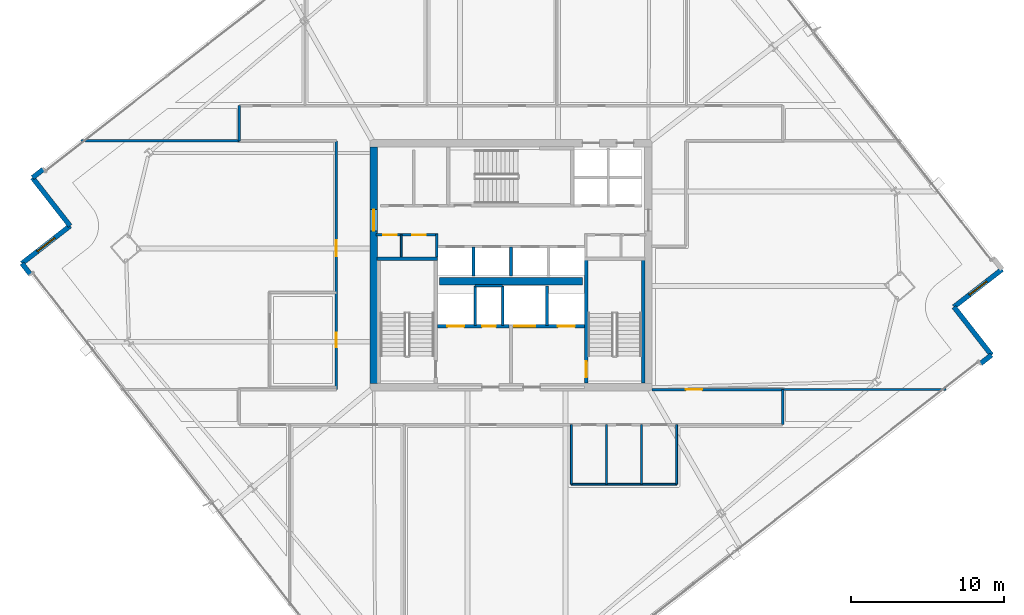
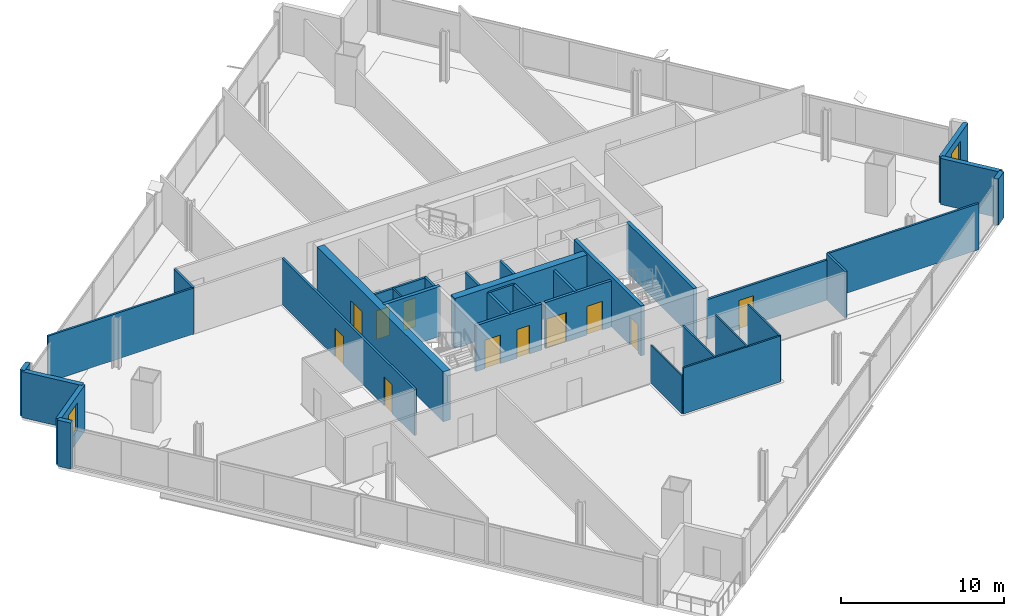
# One storey, part 25 of 32: 34 walls, 11 doors, 2 windows, 13 openings.
"""IFC4 building model written with IfcOpenShell, lengths in metres."""

import ifcopenshell
import ifcopenshell.guid

model = None  # the IFC model being written
_history = None  # IfcOwnerHistory: only IFC2X3 demands one
_inside = {}  # id of a spatial element -> (the spatial element, [elements in it])
_under = {}  # id of a project, library or spatial element -> (it, [spatial elements below it])
_declared = {}  # id of a project -> (the project, [libraries it declares])
_typed = {}  # id of a type object -> (the type object, [elements of that type])
_made_of = {}  # id of a material, layer set ... -> (it, [elements and type objects made of it])


def new_model(schema):
    """Start an empty IFC model of exactly this schema.

    Asked for "IFC4X3", IfcOpenShell would pick the latest addendum, in which some entities
    have other attributes; the version numbers below select the first issue.
    IFC2X3 requires an IfcOwnerHistory on every rooted entity: one is made here for all.
    """
    global model, _history
    if schema == "IFC4X3":
        model = ifcopenshell.file(schema_version=(4, 3, 0, 0))
    else:
        model = ifcopenshell.file(schema=schema)
    _inside.clear()
    _under.clear()
    _declared.clear()
    _typed.clear()
    _made_of.clear()
    _history = None
    if model.schema == "IFC2X3":
        org = make("IfcOrganization", Name="unknown")
        user = make(
            "IfcPersonAndOrganization",
            ThePerson=make("IfcPerson", FamilyName="unknown"),
            TheOrganization=org,
        )
        app = make(
            "IfcApplication",
            ApplicationDeveloper=org,
            Version="unknown",
            ApplicationFullName="unknown",
            ApplicationIdentifier="unknown",
        )
        _history = make(
            "IfcOwnerHistory",
            OwningUser=user,
            OwningApplication=app,
            ChangeAction="ADDED",
            CreationDate=0,
        )
    return model


def make(cls, **values):
    """One entity of the class cls with the attributes given. An attribute that is None is left unset."""
    return model.create_entity(
        cls, **{name: value for name, value in values.items() if value is not None}
    )


def rooted(cls, **values):
    """An entity with a GlobalId (a new one), such as an element, a storey or a relation."""
    return make(cls, GlobalId=ifcopenshell.guid.new(), OwnerHistory=_history, **values)


def si_unit(unit_type, name, prefix=None):
    """IfcSIUnit, for example si_unit("LENGTHUNIT", "METRE", prefix="MILLI")."""
    return make("IfcSIUnit", UnitType=unit_type, Prefix=prefix, Name=name)


def assignment(units):
    """IfcUnitAssignment: the units of a project."""
    return None if units is None else make("IfcUnitAssignment", Units=units)


def point(xyz):
    """IfcCartesianPoint."""
    return None if xyz is None else make("IfcCartesianPoint", Coordinates=xyz)


def direction(xyz):
    """IfcDirection."""
    return None if xyz is None else make("IfcDirection", DirectionRatios=xyz)


def frame(location, z_axis=None, x_axis=None):
    """IfcAxis2Placement3D, a coordinate frame: its origin and axes. An axis left out is left unset."""
    return make(
        "IfcAxis2Placement3D",
        Location=point(location),
        Axis=direction(z_axis),
        RefDirection=direction(x_axis),
    )


def frame_2d(location, x_axis=None):
    """IfcAxis2Placement2D, a coordinate frame in the plane: its origin and x axis."""
    return make(
        "IfcAxis2Placement2D", Location=point(location), RefDirection=direction(x_axis)
    )


def origin():
    """The frame at (0, 0, 0) with its axes left unset."""
    return frame((0.0, 0.0, 0.0))


def place(relative_to, where):
    """IfcLocalPlacement: puts the frame where relative to a parent placement (None: the world)."""
    return make(
        "IfcLocalPlacement", PlacementRelTo=relative_to, RelativePlacement=where
    )


def context(
    kind, dimensions, precision=None, world=None, true_north=None, identifier=None
):
    """IfcGeometricRepresentationContext, for example the 3D "Model" context."""
    return make(
        "IfcGeometricRepresentationContext",
        ContextIdentifier=identifier,
        ContextType=kind,
        CoordinateSpaceDimension=dimensions,
        Precision=precision,
        WorldCoordinateSystem=world,
        TrueNorth=true_north,
    )


def subcontext(parent, identifier, kind, view, scale=None):
    """IfcGeometricRepresentationSubContext, for example "Body" below "Model"."""
    return make(
        "IfcGeometricRepresentationSubContext",
        ContextIdentifier=identifier,
        ContextType=kind,
        ParentContext=parent,
        TargetScale=scale,
        TargetView=view,
    )


def project(units=None, contexts=None):
    """IfcProject with its units and contexts."""
    return rooted(
        "IfcProject",
        Name="project",
        RepresentationContexts=contexts,
        UnitsInContext=assignment(units),
    )


def spatial(cls, under=None, at=None, **own):
    """A site, building, storey or space (cls), placed at a placement, below another one or the project."""
    s = rooted(cls, ObjectPlacement=at, **own)
    if under is not None:
        _under.setdefault(under.id(), (under, []))[1].append(s)
    return s


def profile(cls, at=None, kind="AREA", **sizes):
    """A parametric profile (cls). Its sizes go by their IFC names, for example OverallWidth=200.0."""
    return make(cls, ProfileType=kind, Position=at, **sizes)


def rectangle(**sizes):
    """IfcRectangleProfileDef."""
    return profile("IfcRectangleProfileDef", **sizes)


def extrude(swept, where, along, depth):
    """IfcExtrudedAreaSolid: the profile swept, set in the frame where, extruded along a direction by depth."""
    return make(
        "IfcExtrudedAreaSolid",
        SweptArea=swept,
        Position=where,
        ExtrudedDirection=direction(along),
        Depth=depth,
    )


def shape(context_of_items, identifier, shape_type, items):
    """IfcShapeRepresentation: the items that make up one representation, for example the "Body"."""
    return make(
        "IfcShapeRepresentation",
        ContextOfItems=context_of_items,
        RepresentationIdentifier=identifier,
        RepresentationType=shape_type,
        Items=items,
    )


def material(Name=None, Category=None):
    """IfcMaterial."""
    return make("IfcMaterial", Name=Name, Category=Category)


def layer(
    of_material, thickness, ventilated=None, Name=None, Category=None, Priority=None
):
    """IfcMaterialLayer: one layer of a wall or slab, of a material (None: an air gap)."""
    return make(
        "IfcMaterialLayer",
        Material=of_material,
        LayerThickness=thickness,
        IsVentilated=ventilated,
        Name=Name,
        Category=Category,
        Priority=Priority,
    )


def layer_set(layers, Name=None):
    """IfcMaterialLayerSet."""
    return make("IfcMaterialLayerSet", MaterialLayers=layers, LayerSetName=Name)


def made_of(thing, what):
    """Note that an element or type object is made of a material, layer set ...; save() writes the relation."""
    if what is not None:
        _made_of.setdefault(what.id(), (what, []))[1].append(thing)
    return thing


def type_object(cls, material=None, **own):
    """A type object (cls), such as IfcWallType, which elements share."""
    return made_of(rooted(cls, **own), material)


def element(
    cls,
    number,
    at=None,
    inside=None,
    cuts=None,
    type_object=None,
    material=None,
    context=None,
    identifier="Body",
    shape_type=None,
    held_by="IfcProductDefinitionShape",
    body=None,
    shapes=None,
    **own,
):
    """One element of the class cls, such as IfcWall. Its Tag is "e" and its number.

    at: its placement. inside: the storey or other place that contains it. cuts: it is an
    opening in that element (IfcRelVoidsElement). A single representation is given by context,
    identifier, shape_type and body (its items); several are given by shapes. held_by: the class
    of the entity that holds the representations. save() writes the other relations.
    """
    e = rooted(cls, Tag="e%d" % number, ObjectPlacement=at, **own)
    if body is not None:
        shapes = [shape(context, identifier, shape_type, body)]
    if shapes is not None:
        e.Representation = make(held_by, Representations=shapes)
    if inside is not None:
        _inside.setdefault(inside.id(), (inside, []))[1].append(e)
    if cuts is not None:
        rooted(
            "IfcRelVoidsElement", RelatingBuildingElement=cuts, RelatedOpeningElement=e
        )
    if type_object is not None:
        _typed.setdefault(type_object.id(), (type_object, []))[1].append(e)
    return made_of(e, material)


def fill(opening, filler):
    """IfcRelFillsElement: the door or window that sits in an opening."""
    return rooted(
        "IfcRelFillsElement",
        RelatingOpeningElement=opening,
        RelatedBuildingElement=filler,
    )


def aggregate(whole, parts):
    """IfcRelAggregates: a whole, such as a stair, and the parts it consists of."""
    return rooted("IfcRelAggregates", RelatingObject=whole, RelatedObjects=parts)


def save(model, path):
    """Write the relations noted so far, then the file.

    IfcRelAggregates (storeys below a building ...), IfcRelContainedInSpatialStructure (elements
    in a storey), IfcRelDefinesByType, IfcRelAssociatesMaterial and IfcRelDeclares: one each for
    every whole, place, type object, material and project.
    """
    for whole, parts in _under.values():
        aggregate(whole, parts)
    for where, things in _inside.values():
        rooted(
            "IfcRelContainedInSpatialStructure",
            RelatedElements=things,
            RelatingStructure=where,
        )
    for kind, things in _typed.values():
        rooted("IfcRelDefinesByType", RelatedObjects=things, RelatingType=kind)
    for what, things in _made_of.values():
        rooted("IfcRelAssociatesMaterial", RelatedObjects=things, RelatingMaterial=what)
    for by, libraries in _declared.values():
        rooted("IfcRelDeclares", RelatingContext=by, RelatedDefinitions=libraries)
    model.write(path)


model = new_model("IFC4")

# Units and contexts
model_context = context("Model", 3, precision=1e-05, world=origin(), true_north=direction((0.0, 1.0)))
body_context = subcontext(model_context, "Body", "Model", "MODEL_VIEW")
ifc_project = project(units=[si_unit("LENGTHUNIT", "METRE"), si_unit("AREAUNIT", "SQUARE_METRE"), si_unit("VOLUMEUNIT", "CUBIC_METRE"), si_unit("PLANEANGLEUNIT", "RADIAN"), si_unit("MASSUNIT", "GRAM", prefix="KILO")], contexts=[model_context])

# Site, building, storey
site_placement = place(None, origin())
site = spatial("IfcSite", under=ifc_project, at=site_placement, CompositionType="ELEMENT")
building_placement = place(site_placement, origin())
building = spatial("IfcBuilding", under=site, at=building_placement, Name="Haldenkirk Collegiate Tower", CompositionType="ELEMENT")
storey_placement = place(building_placement, frame((0.0, 0.0, 155.699951171875)))
storey = spatial("IfcBuildingStorey", under=building, at=storey_placement, Name="L38", CompositionType="ELEMENT", Elevation=155.699951171875)

# Wall, opening, door
ifc_material_1 = material(Name="Concrete f'c 55 MPa", Category="concrete")
ifc_layer_1 = layer(ifc_material_1, 0.5)
ifc_layer_set_1 = layer_set([ifc_layer_1], Name="Concrete f'c 55 MPa")
wall_type_1 = type_object("IfcWallType", Name="WL-CORE-500", PredefinedType="SHEAR", material=ifc_layer_set_1)
wall_1_placement = place(storey_placement, frame((27.0, 18.25, 0.0), z_axis=(0.0, 0.0, 1.0), x_axis=(0.0, 1.0, 0.0)))
wall_1 = element("IfcWall", 1, at=wall_1_placement, inside=storey, type_object=wall_type_1, Name="L38 central core shear wall W", PredefinedType="SHEAR", context=body_context, shape_type="SweptSolid", body=[
    extrude(rectangle(XDim=15.5, YDim=0.5, at=frame_2d((7.75, 0.0))), origin(), (0.0, 0.0, 1.0), 3.75),
])
opening_1_placement = place(wall_1_placement, frame((9.989990234375, 0.0, 0.0)))
opening_1 = element("IfcOpeningElement", 2, at=opening_1_placement, cuts=wall_1, Name="Opening D-03", PredefinedType="OPENING", context=body_context, shape_type="SweptSolid", body=[
    extrude(rectangle(XDim=1.39990234375, YDim=2.199951171875, at=frame_2d((0.699951171875, 1.10009765625))), frame((0.0, 0.260009765625, 0.0), z_axis=(0.0, -1.0, 0.0), x_axis=(1.0, 0.0, 0.0)), (0.0, 0.0, 1.0), 0.52001953125),
])
ifc_material_2 = material(Name="Galvanized fire-rated hollow steel door", Category="steel")
ifc_layer_2 = layer(ifc_material_2, 0.06005859375)
ifc_layer_set_2 = layer_set([ifc_layer_2], Name="Galvanized fire-rated hollow steel door")
door_type_1 = type_object("IfcDoorType", Name="DR-LOBBY-FD90-1400", OperationType="NOTDEFINED", PredefinedType="DOOR", material=ifc_layer_set_2)
door_1_placement = place(opening_1_placement, origin())
door_1 = element("IfcDoor", 3, at=door_1_placement, inside=storey, type_object=door_type_1, Name="L38 west lift lobby portal", OperationType="DOUBLE_DOOR_SINGLE_SWING", OverallHeight=2.199951171875, OverallWidth=1.39990234375, PredefinedType="DOOR", context=body_context, shape_type="SweptSolid", body=[
    extrude(rectangle(XDim=1.39990234375, YDim=2.199951171875, at=frame_2d((0.699951171875, 1.10009765625))), frame((0.0, 0.02490234375, 0.0), z_axis=(0.0, -1.0, 0.0), x_axis=(1.0, 0.0, 0.0)), (0.0, 0.0, 1.0), 0.050048828125),
])
fill(opening_1, door_1)

# Walls
wall_2_placement = place(storey_placement, frame((31.31005859375, 24.949951171875, 0.0), z_axis=(0.0, 0.0, 1.0), x_axis=(1.0, 0.0, 0.0)))
element("IfcWall", 4, at=wall_2_placement, inside=storey, type_object=wall_type_1, Name="L38 central core spine shear wall", PredefinedType="SHEAR", context=body_context, shape_type="SweptSolid", body=[
    extrude(rectangle(XDim=9.3798828125, YDim=0.5, at=frame_2d((4.68994140625, 0.0))), origin(), (0.0, 0.0, 1.0), 3.75),
])
ifc_material_3 = material(Name="Precast concrete f'c 40 MPa", Category="concrete")
ifc_layer_3 = layer(ifc_material_3, 0.320068359375)
ifc_layer_set_3 = layer_set([ifc_layer_3], Name="Precast concrete f'c 40 MPa")
wall_type_2 = type_object("IfcWallType", Name="WL-EXT-TWR-320", PredefinedType="STANDARD", material=ifc_layer_set_3)
wall_3_placement = place(storey_placement, frame((67.4765625, 20.1123046875, 0.0), z_axis=(0.0, 0.0, 1.0), x_axis=(-0.788562815333, -0.614954214778, 0.0)))
element("IfcWall", 5, at=wall_3_placement, inside=storey, type_object=wall_type_2, Name="L38 precast corner pier SL", PredefinedType="STANDARD", context=body_context, shape_type="SweptSolid", body=[
    extrude(rectangle(XDim=0.89990234375, YDim=0.320068359375, at=frame_2d((0.449951171875, 0.0))), origin(), (0.0, 0.0, 1.0), 3.4599609375),
])
wall_4_placement = place(storey_placement, frame((65.0166015625, 23.2666015625, 0.0), z_axis=(0.0, 0.0, 1.0), x_axis=(0.614971082366, -0.788549660994, 0.0)))
element("IfcWall", 6, at=wall_4_placement, inside=storey, type_object=wall_type_2, Name="L38 bronze precast notch wall 02", PredefinedType="STANDARD", context=body_context, shape_type="SweptSolid", body=[
    extrude(rectangle(XDim=4.000244140625, YDim=0.320068359375, at=frame_2d((2.0, 0.0))), origin(), (0.0, 0.0, 1.0), 3.4599609375),
])

# Wall, opening, window
wall_5_placement = place(storey_placement, frame((68.1708984375, 25.726318359375, 0.0), z_axis=(0.0, 0.0, 1.0), x_axis=(-0.788579258368, -0.614933129106, 0.0)))
wall_5 = element("IfcWall", 7, at=wall_5_placement, inside=storey, type_object=wall_type_2, Name="L38 bronze precast notch wall 03", PredefinedType="STANDARD", context=body_context, shape_type="SweptSolid", body=[
    extrude(rectangle(XDim=4.0, YDim=0.320068359375, at=frame_2d((2.0, 0.0))), origin(), (0.0, 0.0, 1.0), 3.4599609375),
])
opening_2_placement = place(wall_5_placement, frame((1.27490234375, 0.0, 0.85009765625)))
opening_2 = element("IfcOpeningElement", 8, at=opening_2_placement, cuts=wall_5, Name="Opening W-05", PredefinedType="OPENING", context=body_context, shape_type="SweptSolid", body=[
    extrude(rectangle(XDim=1.449951171875, YDim=2.050048828125, at=frame_2d((0.72509765625, 1.02490234375))), frame((0.0, 0.169921875, 0.0), z_axis=(0.0, -1.0, 0.0), x_axis=(1.0, 0.0, 0.0)), (0.0, 0.0, 1.0), 0.340087890625),
])
ifc_material_4 = material(Name="Low-E argon triple insulating glass", Category="glass")
ifc_layer_4 = layer(ifc_material_4, 0.090087890625)
ifc_layer_set_4 = layer_set([ifc_layer_4], Name="Low-E argon triple insulating glass")
window_type = type_object("IfcWindowType", Name="WN-Z3-1450X2050", PartitioningType="SINGLE_PANEL", PredefinedType="WINDOW", material=ifc_layer_set_4)
window_1_placement = place(opening_2_placement, origin())
window_1 = element("IfcWindow", 9, at=window_1_placement, inside=storey, type_object=window_type, Name="L38 precast-frame academic window 2", OverallHeight=2.050048828125, OverallWidth=1.449951171875, PartitioningType="SINGLE_PANEL", PredefinedType="WINDOW", context=body_context, shape_type="SweptSolid", body=[
    extrude(rectangle(XDim=1.449951171875, YDim=2.050048828125, at=frame_2d((0.72509765625, 1.02490234375))), frame((0.0, 0.030029296875, 0.0), z_axis=(0.0, -1.0, 0.0), x_axis=(1.0, 0.0, 0.0)), (0.0, 0.0, 1.0), 0.06005859375),
])
fill(opening_2, window_1)

# Walls
wall_6_placement = place(storey_placement, frame((4.646484375, 31.72998046875, 0.0), z_axis=(0.0, 0.0, 1.0), x_axis=(0.788562815333, 0.614954214778, 0.0)))
element("IfcWall", 10, at=wall_6_placement, inside=storey, type_object=wall_type_2, Name="L38 precast corner pier NL", PredefinedType="STANDARD", context=body_context, shape_type="SweptSolid", body=[
    extrude(rectangle(XDim=0.89990234375, YDim=0.320068359375, at=frame_2d((0.449951171875, 0.0))), origin(), (0.0, 0.0, 1.0), 3.4599609375),
])
wall_7_placement = place(storey_placement, frame((7.106201171875, 28.57568359375, 0.0), z_axis=(0.0, 0.0, 1.0), x_axis=(-0.614933129106, 0.788579258368, 0.0)))
element("IfcWall", 11, at=wall_7_placement, inside=storey, type_object=wall_type_2, Name="L38 bronze precast notch wall 08", PredefinedType="STANDARD", context=body_context, shape_type="SweptSolid", body=[
    extrude(rectangle(XDim=4.0, YDim=0.320068359375, at=frame_2d((2.0, 0.0))), origin(), (0.0, 0.0, 1.0), 3.4599609375),
])

# Wall, opening, window
wall_8_placement = place(storey_placement, frame((3.9521484375, 26.115966796875, 0.0), z_axis=(0.0, 0.0, 1.0), x_axis=(0.788556176552, 0.614962727669, 0.0)))
wall_8 = element("IfcWall", 12, at=wall_8_placement, inside=storey, type_object=wall_type_2, Name="L38 bronze precast notch wall 09", PredefinedType="STANDARD", context=body_context, shape_type="SweptSolid", body=[
    extrude(rectangle(XDim=3.999755859375, YDim=0.320068359375, at=frame_2d((2.0, 0.0))), origin(), (0.0, 0.0, 1.0), 3.4599609375),
])
opening_3_placement = place(wall_8_placement, frame((1.27490234375, 0.0, 0.85009765625)))
opening_3 = element("IfcOpeningElement", 13, at=opening_3_placement, cuts=wall_8, Name="Opening W-05", PredefinedType="OPENING", context=body_context, shape_type="SweptSolid", body=[
    extrude(rectangle(XDim=1.449951171875, YDim=2.050048828125, at=frame_2d((0.72509765625, 1.02490234375))), frame((0.0, 0.169921875, 0.0), z_axis=(0.0, -1.0, 0.0), x_axis=(1.0, 0.0, 0.0)), (0.0, 0.0, 1.0), 0.340087890625),
])
window_2_placement = place(opening_3_placement, origin())
window_2 = element("IfcWindow", 14, at=window_2_placement, inside=storey, type_object=window_type, Name="L38 precast-frame academic window 8", OverallHeight=2.050048828125, OverallWidth=1.449951171875, PartitioningType="SINGLE_PANEL", PredefinedType="WINDOW", context=body_context, shape_type="SweptSolid", body=[
    extrude(rectangle(XDim=1.449951171875, YDim=2.050048828125, at=frame_2d((0.72509765625, 1.02490234375))), frame((0.0, 0.030029296875, 0.0), z_axis=(0.0, -1.0, 0.0), x_axis=(1.0, 0.0, 0.0)), (0.0, 0.0, 1.0), 0.06005859375),
])
fill(opening_3, window_2)

# Wall
wall_9_placement = place(storey_placement, frame((4.505615234375, 25.40625, 0.0), z_axis=(0.0, 0.0, 1.0), x_axis=(-0.614954214778, 0.788562815333, 0.0)))
element("IfcWall", 15, at=wall_9_placement, inside=storey, type_object=wall_type_2, Name="L38 precast corner pier WR", PredefinedType="STANDARD", context=body_context, shape_type="SweptSolid", body=[
    extrude(rectangle(XDim=0.89990234375, YDim=0.320068359375, at=frame_2d((0.449951171875, 0.0))), origin(), (0.0, 0.0, 1.0), 3.4599609375),
])

# Wall, openings, doors
ifc_material_5 = material(Name="Acoustic fire-rated gypsum partition", Category="concrete")
ifc_layer_5 = layer(ifc_material_5, 0.159912109375)
ifc_layer_set_5 = layer_set([ifc_layer_5], Name="Acoustic fire-rated gypsum partition")
wall_type_3 = type_object("IfcWallType", Name="WL-INT-CORR-160", PredefinedType="PARTITIONING", material=ifc_layer_set_5)
wall_10_placement = place(storey_placement, frame((27.14990234375, 27.97998046875, 0.0), z_axis=(0.0, 0.0, 1.0), x_axis=(1.0, 0.0, 0.0)))
wall_10 = element("IfcWall", 16, at=wall_10_placement, inside=storey, type_object=wall_type_3, Name="L38 interior partition IW-L38-VCSW-N", PredefinedType="PARTITIONING", context=body_context, shape_type="SweptSolid", body=[
    extrude(rectangle(XDim=4.050048828125, YDim=0.159912109375, at=frame_2d((2.02490234375, 0.0))), origin(), (0.0, 0.0, 1.0), 3.4599609375),
])
opening_4_placement = place(wall_10_placement, frame((0.469970703125, 0.0, 0.0)))
opening_4 = element("IfcOpeningElement", 17, at=opening_4_placement, cuts=wall_10, Name="Opening D-11", PredefinedType="OPENING", context=body_context, shape_type="SweptSolid", body=[
    extrude(rectangle(XDim=0.89990234375, YDim=2.14990234375, at=frame_2d((0.449951171875, 1.074951171875))), frame((0.0, 0.08984375, 0.0), z_axis=(0.0, -1.0, 0.0), x_axis=(1.0, 0.0, 0.0)), (0.0, 0.0, 1.0), 0.179931640625),
])
opening_5_placement = place(wall_10_placement, frame((2.360107421875, 0.0, 0.0)))
opening_5 = element("IfcOpeningElement", 18, at=opening_5_placement, cuts=wall_10, Name="Opening D-11", PredefinedType="OPENING", context=body_context, shape_type="SweptSolid", body=[
    extrude(rectangle(XDim=0.89990234375, YDim=2.14990234375, at=frame_2d((0.449951171875, 1.074951171875))), frame((0.0, 0.08984375, 0.0), z_axis=(0.0, -1.0, 0.0), x_axis=(1.0, 0.0, 0.0)), (0.0, 0.0, 1.0), 0.179931640625),
])
ifc_material_6 = material(Name="Solid-core architectural oak fire door", Category="wood")
ifc_layer_6 = layer(ifc_material_6, 0.06005859375)
ifc_layer_set_6 = layer_set([ifc_layer_6], Name="Solid-core architectural oak fire door")
door_type_2 = type_object("IfcDoorType", Name="DR-INT-FD60-900", OperationType="NOTDEFINED", PredefinedType="DOOR", material=ifc_layer_set_6)
door_2_placement = place(opening_4_placement, origin())
door_2 = element("IfcDoor", 19, at=door_2_placement, inside=storey, type_object=door_type_2, Name="L38 core AV closet door", OperationType="SINGLE_SWING_RIGHT", OverallHeight=2.14990234375, OverallWidth=0.89990234375, PredefinedType="DOOR", context=body_context, shape_type="SweptSolid", body=[
    extrude(rectangle(XDim=0.89990234375, YDim=2.14990234375, at=frame_2d((0.449951171875, 1.074951171875))), frame((0.0, 0.02490234375, 0.0), z_axis=(0.0, -1.0, 0.0), x_axis=(1.0, 0.0, 0.0)), (0.0, 0.0, 1.0), 0.050048828125),
])
fill(opening_4, door_2)
door_3_placement = place(opening_5_placement, origin())
door_3 = element("IfcDoor", 20, at=door_3_placement, inside=storey, type_object=door_type_2, Name="L38 core supply closet door", OperationType="SINGLE_SWING_LEFT", OverallHeight=2.14990234375, OverallWidth=0.89990234375, PredefinedType="DOOR", context=body_context, shape_type="SweptSolid", body=[
    extrude(rectangle(XDim=0.89990234375, YDim=2.14990234375, at=frame_2d((0.449951171875, 1.074951171875))), frame((0.0, 0.02490234375, 0.0), z_axis=(0.0, -1.0, 0.0), x_axis=(1.0, 0.0, 0.0)), (0.0, 0.0, 1.0), 0.050048828125),
])
fill(opening_5, door_3)

# Wall
wall_11_placement = place(storey_placement, frame((31.1201171875, 26.5400390625, 0.0), z_axis=(0.0, 0.0, 1.0), x_axis=(0.0, 1.0, 0.0)))
element("IfcWall", 21, at=wall_11_placement, inside=storey, type_object=wall_type_3, Name="L38 interior partition IW-L38-VCSW-E", PredefinedType="PARTITIONING", context=body_context, shape_type="SweptSolid", body=[
    extrude(rectangle(XDim=1.510009765625, YDim=0.159912109375, at=frame_2d((0.7548828125, 0.0))), origin(), (0.0, 0.0, 1.0), 3.4599609375),
])

# Wall, opening, door
wall_12_placement = place(storey_placement, frame((45.25, 17.85009765625, 0.0), z_axis=(0.0, 0.0, 1.0), x_axis=(1.0, 0.0, 0.0)))
wall_12 = element("IfcWall", 22, at=wall_12_placement, inside=storey, type_object=wall_type_3, Name="L38 interior partition IW-L38-CSE", PredefinedType="PARTITIONING", context=body_context, shape_type="SweptSolid", body=[
    extrude(rectangle(XDim=8.550048828125, YDim=0.159912109375, at=frame_2d((4.27490234375, 0.0))), origin(), (0.0, 0.0, 1.0), 2.998046875),
])
opening_6_placement = place(wall_12_placement, frame((2.2109375, 0.0, 0.0)))
opening_6 = element("IfcOpeningElement", 23, at=opening_6_placement, cuts=wall_12, Name="Opening D-09", PredefinedType="OPENING", context=body_context, shape_type="SweptSolid", body=[
    extrude(rectangle(XDim=1.050048828125, YDim=2.14990234375, at=frame_2d((0.52490234375, 1.074951171875))), frame((0.0, 0.08984375, 0.0), z_axis=(0.0, -1.0, 0.0), x_axis=(1.0, 0.0, 0.0)), (0.0, 0.0, 1.0), 0.179931640625),
])
ifc_layer_7 = layer(ifc_material_6, 0.06005859375)
ifc_layer_set_7 = layer_set([ifc_layer_7], Name="Solid-core architectural oak fire door")
door_type_3 = type_object("IfcDoorType", Name="DR-INT-FD60-1050", OperationType="NOTDEFINED", PredefinedType="DOOR", material=ifc_layer_set_7)
door_4_placement = place(opening_6_placement, origin())
door_4 = element("IfcDoor", 24, at=door_4_placement, inside=storey, type_object=door_type_3, Name="L38 Graduate Seminar Room 10 door", OperationType="SINGLE_SWING_RIGHT", OverallHeight=2.14990234375, OverallWidth=1.050048828125, PredefinedType="DOOR", context=body_context, shape_type="SweptSolid", body=[
    extrude(rectangle(XDim=1.050048828125, YDim=2.14990234375, at=frame_2d((0.52490234375, 1.074951171875))), frame((0.0, 0.02490234375, 0.0), z_axis=(0.0, -1.0, 0.0), x_axis=(1.0, 0.0, 0.0)), (0.0, 0.0, 1.0), 0.050048828125),
])
fill(opening_6, door_4)

# Wall, openings, doors
wall_13_placement = place(storey_placement, frame((24.550048828125, 17.85009765625, 0.0), z_axis=(0.0, 0.0, 1.0), x_axis=(0.0, 1.0, 0.0)))
wall_13 = element("IfcWall", 25, at=wall_13_placement, inside=storey, type_object=wall_type_3, Name="L38 interior partition IW-L38-CW", PredefinedType="PARTITIONING", context=body_context, shape_type="SweptSolid", body=[
    extrude(rectangle(XDim=16.2998046875, YDim=0.159912109375, at=frame_2d((8.14990234375, 0.0))), origin(), (0.0, 0.0, 1.0), 3.4599609375),
])
opening_7_placement = place(wall_13_placement, frame((2.77490234375, 0.0, 0.0)))
opening_7 = element("IfcOpeningElement", 26, at=opening_7_placement, cuts=wall_13, Name="Opening D-10", PredefinedType="OPENING", context=body_context, shape_type="SweptSolid", body=[
    extrude(rectangle(XDim=0.949951171875, YDim=2.14990234375, at=frame_2d((0.47509765625, 1.074951171875))), frame((0.0, 0.08984375, 0.0), z_axis=(0.0, -1.0, 0.0), x_axis=(1.0, 0.0, 0.0)), (0.0, 0.0, 1.0), 0.179931640625),
])
opening_8_placement = place(wall_13_placement, frame((8.72900390625, 0.0, 0.0)))
opening_8 = element("IfcOpeningElement", 27, at=opening_8_placement, cuts=wall_13, Name="Opening D-09", PredefinedType="OPENING", context=body_context, shape_type="SweptSolid", body=[
    extrude(rectangle(XDim=1.050048828125, YDim=2.14990234375, at=frame_2d((0.52490234375, 1.074951171875))), frame((0.0, 0.08984375, 0.0), z_axis=(0.0, -1.0, 0.0), x_axis=(1.0, 0.0, 0.0)), (0.0, 0.0, 1.0), 0.179931640625),
])
door_5_placement = place(opening_8_placement, origin())
door_5 = element("IfcDoor", 28, at=door_5_placement, inside=storey, type_object=door_type_3, Name="L38 Health Triage Clinic 9 door", OperationType="SINGLE_SWING_LEFT", OverallHeight=2.14990234375, OverallWidth=1.050048828125, PredefinedType="DOOR", context=body_context, shape_type="SweptSolid", body=[
    extrude(rectangle(XDim=1.050048828125, YDim=2.14990234375, at=frame_2d((0.52490234375, 1.074951171875))), frame((0.0, 0.02490234375, 0.0), z_axis=(0.0, -1.0, 0.0), x_axis=(1.0, 0.0, 0.0)), (0.0, 0.0, 1.0), 0.050048828125),
])
fill(opening_8, door_5)
ifc_layer_8 = layer(ifc_material_6, 0.06005859375)
ifc_layer_set_8 = layer_set([ifc_layer_8], Name="Solid-core architectural oak fire door")
door_type_4 = type_object("IfcDoorType", Name="DR-INT-FD60-950", OperationType="NOTDEFINED", PredefinedType="DOOR", material=ifc_layer_set_8)
door_6_placement = place(opening_7_placement, origin())
door_6 = element("IfcDoor", 29, at=door_6_placement, inside=storey, type_object=door_type_4, Name="L38 West Faculty Tutorial Pod corridor door", OperationType="SINGLE_SWING_LEFT", OverallHeight=2.14990234375, OverallWidth=0.949951171875, PredefinedType="DOOR", context=body_context, shape_type="SweptSolid", body=[
    extrude(rectangle(XDim=0.949951171875, YDim=2.14990234375, at=frame_2d((0.47509765625, 1.074951171875))), frame((0.0, 0.02490234375, 0.0), z_axis=(0.0, -1.0, 0.0), x_axis=(1.0, 0.0, 0.0)), (0.0, 0.0, 1.0), 0.050048828125),
])
fill(opening_7, door_6)

# Walls
for number, where, z_axis, x_axis, name in (
    (30, (53.800048828125, 15.550048828125, 0.0), (0.0, 0.0, 1.0), (0.0, 1.0, 0.0), "L38 interior partition IW-L38-CSR"),
    (31, (18.199951171875, 34.14990234375, 0.0), (0.0, 0.0, 1.0), (0.0, 1.0, 0.0), "L38 interior partition IW-L38-CNL"),
):
    element("IfcWall", number, at=place(storey_placement, frame(where, z_axis=z_axis, x_axis=x_axis)), inside=storey, type_object=wall_type_3, Name=name, PredefinedType="PARTITIONING", context=body_context, shape_type="SweptSolid", body=[
        extrude(rectangle(XDim=2.300048828125, YDim=0.159912109375, at=frame_2d((1.14990234375, 0.0))), origin(), (0.0, 0.0, 1.0), 3.4599609375),
    ])
ifc_layer_9 = layer(ifc_material_5, 0.139892578125)
ifc_layer_set_9 = layer_set([ifc_layer_9], Name="Acoustic fire-rated gypsum partition")
wall_type_4 = type_object("IfcWallType", Name="WL-INT-DIV-140", PredefinedType="PARTITIONING", material=ifc_layer_set_9)
wall_14_placement = place(storey_placement, frame((7.814453125, 34.14990234375, 0.0), z_axis=(0.0, 0.0, 1.0), x_axis=(1.0, 0.0, 0.0)))
element("IfcWall", 32, at=wall_14_placement, inside=storey, type_object=wall_type_4, Name="L38 interior partition IW-L38-BWN", PredefinedType="PARTITIONING", context=body_context, shape_type="SweptSolid", body=[
    extrude(rectangle(XDim=10.385498046875, YDim=0.139892578125, at=frame_2d((5.19287109375, 0.0))), origin(), (0.0, 0.0, 1.0), 3.4599609375),
])
wall_15_placement = place(storey_placement, frame((53.800048828125, 17.85009765625, 0.0), z_axis=(0.0, 0.0, 1.0), x_axis=(1.0, 0.0, 0.0)))
element("IfcWall", 33, at=wall_15_placement, inside=storey, type_object=wall_type_4, Name="L38 interior partition IW-L38-BES", PredefinedType="PARTITIONING", context=body_context, shape_type="SweptSolid", body=[
    extrude(rectangle(XDim=10.710693359375, YDim=0.139892578125, at=frame_2d((5.35546875, 0.0))), origin(), (0.0, 0.0, 1.0), 3.4599609375),
])
ifc_material_7 = material(Name="Fire-rated gypsum shaftboard assembly", Category="concrete")
ifc_layer_10 = layer(ifc_material_7, 0.179931640625)
ifc_layer_set_10 = layer_set([ifc_layer_10], Name="Fire-rated gypsum shaftboard assembly")
wall_type_5 = type_object("IfcWallType", Name="WL-INT-SHAFT-180", PredefinedType="PARTITIONING", material=ifc_layer_set_10)
for number, where, z_axis, x_axis, name in (
    (34, (33.64990234375, 22.050048828125, 0.0), (0.0, 0.0, 1.0), (0.0, 1.0, 0.0), "L38 interior partition IW-L38-FL1E"),
    (35, (35.449951171875, 22.050048828125, 0.0), (0.0, 0.0, 1.0), (0.0, 1.0, 0.0), "L38 interior partition IW-L38-GL1W"),
):
    element("IfcWall", number, at=place(storey_placement, frame(where, z_axis=z_axis, x_axis=x_axis)), inside=storey, type_object=wall_type_5, Name=name, PredefinedType="PARTITIONING", context=body_context, shape_type="SweptSolid", body=[
        extrude(rectangle(XDim=2.599853515625, YDim=0.179931640625, at=frame_2d((1.2998046875, 0.0))), origin(), (0.0, 0.0, 1.0), 3.4599609375),
    ])
wall_16_placement = place(storey_placement, frame((33.64990234375, 24.64990234375, 0.0), z_axis=(0.0, 0.0, 1.0), x_axis=(1.0, 0.0, 0.0)))
element("IfcWall", 36, at=wall_16_placement, inside=storey, type_object=wall_type_5, Name="L38 interior partition IW-L38-RSRN", PredefinedType="PARTITIONING", context=body_context, shape_type="SweptSolid", body=[
    extrude(rectangle(XDim=1.800048828125, YDim=0.179931640625, at=frame_2d((0.89990234375, 0.0))), origin(), (0.0, 0.0, 1.0), 3.4599609375),
])
wall_17_placement = place(storey_placement, frame((38.35009765625, 22.050048828125, 0.0), z_axis=(0.0, 0.0, 1.0), x_axis=(0.0, 1.0, 0.0)))
element("IfcWall", 37, at=wall_17_placement, inside=storey, type_object=wall_type_5, Name="L38 interior partition IW-L38-GL1E", PredefinedType="PARTITIONING", context=body_context, shape_type="SweptSolid", body=[
    extrude(rectangle(XDim=2.599853515625, YDim=0.179931640625, at=frame_2d((1.2998046875, 0.0))), origin(), (0.0, 0.0, 1.0), 3.4599609375),
])
for number, where, z_axis, x_axis, name in (
    (38, (33.5400390625, 25.300048828125, 0.0), (0.0, 0.0, 1.0), (0.0, 1.0, 0.0), "L38 interior partition IW-L38-PHV1"),
    (39, (36.0, 25.300048828125, 0.0), (0.0, 0.0, 1.0), (0.0, 1.0, 0.0), "L38 interior partition IW-L38-PHV2"),
):
    element("IfcWall", number, at=place(storey_placement, frame(where, z_axis=z_axis, x_axis=x_axis)), inside=storey, type_object=wall_type_5, Name=name, PredefinedType="PARTITIONING", context=body_context, shape_type="SweptSolid", body=[
        extrude(rectangle(XDim=1.89990234375, YDim=0.179931640625, at=frame_2d((0.949951171875, 0.0))), origin(), (0.0, 0.0, 1.0), 3.4599609375),
    ])

# Wall, openings, doors
ifc_layer_11 = layer(ifc_material_7, 0.199951171875)
ifc_layer_set_11 = layer_set([ifc_layer_11], Name="Fire-rated gypsum shaftboard assembly")
wall_type_6 = type_object("IfcWallType", Name="WL-INT-SHAFT-200", PredefinedType="PARTITIONING", material=ifc_layer_set_11)
wall_18_placement = place(storey_placement, frame((31.18994140625, 22.0, 0.0), z_axis=(0.0, 0.0, 1.0), x_axis=(1.0, 0.0, 0.0)))
wall_18 = element("IfcWall", 40, at=wall_18_placement, inside=storey, type_object=wall_type_6, Name="L38 interior partition IW-L38-FFL1N", PredefinedType="PARTITIONING", context=body_context, shape_type="SweptSolid", body=[
    extrude(rectangle(XDim=4.68994140625, YDim=0.199951171875, at=frame_2d((2.344970703125, 0.0))), origin(), (0.0, 0.0, 1.0), 3.4599609375),
])
opening_9_placement = place(wall_18_placement, frame((2.909912109375, 0.0, 0.0)))
opening_9 = element("IfcOpeningElement", 41, at=opening_9_placement, cuts=wall_18, Name="Opening D-06", PredefinedType="OPENING", context=body_context, shape_type="SweptSolid", body=[
    extrude(rectangle(XDim=0.89990234375, YDim=2.14990234375, at=frame_2d((0.449951171875, 1.074951171875))), frame((0.0, 0.10986328125, 0.0), z_axis=(0.0, -1.0, 0.0), x_axis=(1.0, 0.0, 0.0)), (0.0, 0.0, 1.0), 0.219970703125),
])
opening_10_placement = place(wall_18_placement, frame((0.635009765625, 0.0, 0.0)))
opening_10 = element("IfcOpeningElement", 42, at=opening_10_placement, cuts=wall_18, Name="Opening LD-12", PredefinedType="OPENING", context=body_context, shape_type="SweptSolid", body=[
    extrude(rectangle(XDim=1.10009765625, YDim=2.14990234375, at=frame_2d((0.550048828125, 1.074951171875))), frame((0.0, 0.10986328125, 0.0), z_axis=(0.0, -1.0, 0.0), x_axis=(1.0, 0.0, 0.0)), (0.0, 0.0, 1.0), 0.219970703125),
])
ifc_layer_12 = layer(ifc_material_2, 0.06005859375)
ifc_layer_set_12 = layer_set([ifc_layer_12], Name="Galvanized fire-rated hollow steel door")
door_type_5 = type_object("IfcDoorType", Name="DR-INT-FD90-900", OperationType="NOTDEFINED", PredefinedType="DOOR", material=ifc_layer_set_12)
door_7_placement = place(opening_9_placement, origin())
door_7 = element("IfcDoor", 43, at=door_7_placement, inside=storey, type_object=door_type_5, Name="L38 electrical riser door", OperationType="SINGLE_SWING_LEFT", OverallHeight=2.14990234375, OverallWidth=0.89990234375, PredefinedType="DOOR", context=body_context, shape_type="SweptSolid", body=[
    extrude(rectangle(XDim=0.89990234375, YDim=2.14990234375, at=frame_2d((0.449951171875, 1.074951171875))), frame((0.0, 0.02490234375, 0.0), z_axis=(0.0, -1.0, 0.0), x_axis=(1.0, 0.0, 0.0)), (0.0, 0.0, 1.0), 0.050048828125),
])
fill(opening_9, door_7)
ifc_material_8 = material(Name="Brushed architectural stainless steel", Category="steel")
ifc_layer_13 = layer(ifc_material_8, 0.06005859375)
ifc_layer_set_13 = layer_set([ifc_layer_13], Name="Brushed architectural stainless steel")
door_type_6 = type_object("IfcDoorType", Name="LD-FIRE-1100", OperationType="NOTDEFINED", PredefinedType="DOOR", material=ifc_layer_set_13)
door_8_placement = place(opening_10_placement, origin())
door_8 = element("IfcDoor", 44, at=door_8_placement, inside=storey, type_object=door_type_6, Name="L38 Elevator FL1 sliding landing door", OperationType="SLIDING_TO_LEFT", OverallHeight=2.14990234375, OverallWidth=1.10009765625, PredefinedType="DOOR", context=body_context, shape_type="SweptSolid", body=[
    extrude(rectangle(XDim=1.10009765625, YDim=2.14990234375, at=frame_2d((0.550048828125, 1.074951171875))), frame((0.0, 0.02490234375, 0.0), z_axis=(0.0, -1.0, 0.0), x_axis=(1.0, 0.0, 0.0)), (0.0, 0.0, 1.0), 0.050048828125),
])
fill(opening_10, door_8)

wall_19_placement = place(storey_placement, frame((36.1201171875, 22.0, 0.0), z_axis=(0.0, 0.0, 1.0), x_axis=(1.0, 0.0, 0.0)))
wall_19 = element("IfcWall", 45, at=wall_19_placement, inside=storey, type_object=wall_type_6, Name="L38 interior partition IW-L38-FFL2N", PredefinedType="PARTITIONING", context=body_context, shape_type="SweptSolid", body=[
    extrude(rectangle(XDim=4.68994140625, YDim=0.199951171875, at=frame_2d((2.344970703125, 0.0))), origin(), (0.0, 0.0, 1.0), 3.4599609375),
])
opening_11_placement = place(wall_19_placement, frame((2.955078125, 0.0, 0.0)))
opening_11 = element("IfcOpeningElement", 46, at=opening_11_placement, cuts=wall_19, Name="Opening LD-12", PredefinedType="OPENING", context=body_context, shape_type="SweptSolid", body=[
    extrude(rectangle(XDim=1.10009765625, YDim=2.14990234375, at=frame_2d((0.550048828125, 1.074951171875))), frame((0.0, 0.10986328125, 0.0), z_axis=(0.0, -1.0, 0.0), x_axis=(1.0, 0.0, 0.0)), (0.0, 0.0, 1.0), 0.219970703125),
])
opening_12_placement = place(wall_19_placement, frame((0.080078125, 0.0, 0.0)))
opening_12 = element("IfcOpeningElement", 47, at=opening_12_placement, cuts=wall_19, Name="Opening LD-13", PredefinedType="OPENING", context=body_context, shape_type="SweptSolid", body=[
    extrude(rectangle(XDim=1.39990234375, YDim=2.199951171875, at=frame_2d((0.699951171875, 1.10009765625))), frame((0.0, 0.10986328125, 0.0), z_axis=(0.0, -1.0, 0.0), x_axis=(1.0, 0.0, 0.0)), (0.0, 0.0, 1.0), 0.219970703125),
])
door_9_placement = place(opening_11_placement, origin())
door_9 = element("IfcDoor", 48, at=door_9_placement, inside=storey, type_object=door_type_6, Name="L38 Elevator FL2 sliding landing door", OperationType="SLIDING_TO_LEFT", OverallHeight=2.14990234375, OverallWidth=1.10009765625, PredefinedType="DOOR", context=body_context, shape_type="SweptSolid", body=[
    extrude(rectangle(XDim=1.10009765625, YDim=2.14990234375, at=frame_2d((0.550048828125, 1.074951171875))), frame((0.0, 0.02490234375, 0.0), z_axis=(0.0, -1.0, 0.0), x_axis=(1.0, 0.0, 0.0)), (0.0, 0.0, 1.0), 0.050048828125),
])
fill(opening_11, door_9)
ifc_layer_14 = layer(ifc_material_8, 0.06005859375)
ifc_layer_set_14 = layer_set([ifc_layer_14], Name="Brushed architectural stainless steel")
door_type_7 = type_object("IfcDoorType", Name="LD-GOODS-1400", OperationType="NOTDEFINED", PredefinedType="DOOR", material=ifc_layer_set_14)
door_10_placement = place(opening_12_placement, origin())
door_10 = element("IfcDoor", 49, at=door_10_placement, inside=storey, type_object=door_type_7, Name="L38 Elevator GL1 sliding landing door", OperationType="SLIDING_TO_LEFT", OverallHeight=2.199951171875, OverallWidth=1.39990234375, PredefinedType="DOOR", context=body_context, shape_type="SweptSolid", body=[
    extrude(rectangle(XDim=1.39990234375, YDim=2.199951171875, at=frame_2d((0.699951171875, 1.10009765625))), frame((0.0, 0.02490234375, 0.0), z_axis=(0.0, -1.0, 0.0), x_axis=(1.0, 0.0, 0.0)), (0.0, 0.0, 1.0), 0.050048828125),
])
fill(opening_12, door_10)

# Walls
ifc_layer_15 = layer(ifc_material_5, 0.1201171875)
ifc_layer_set_15 = layer_set([ifc_layer_15], Name="Acoustic fire-rated gypsum partition")
wall_type_7 = type_object("IfcWallType", Name="WL-INT-WET-120", PredefinedType="PARTITIONING", material=ifc_layer_set_15)
wall_20_placement = place(storey_placement, frame((28.800048828125, 26.5400390625, 0.0), z_axis=(0.0, 0.0, 1.0), x_axis=(0.0, 1.0, 0.0)))
element("IfcWall", 50, at=wall_20_placement, inside=storey, type_object=wall_type_7, Name="L38 interior partition IW-L38-VCSW-M", PredefinedType="PARTITIONING", context=body_context, shape_type="SweptSolid", body=[
    extrude(rectangle(XDim=1.43994140625, YDim=0.1201171875, at=frame_2d((0.719970703125, 0.0))), origin(), (0.0, 0.0, 1.0), 3.4599609375),
])
wall_21_placement = place(storey_placement, frame((39.949951171875, 11.64990234375, 0.0), z_axis=(0.0, 0.0, 1.0), x_axis=(0.0, 1.0, 0.0)))
element("IfcWall", 51, at=wall_21_placement, inside=storey, type_object=wall_type_7, Name="L38 interior partition IW-L38-WCW", PredefinedType="PARTITIONING", context=body_context, shape_type="SweptSolid", body=[
    extrude(rectangle(XDim=3.900146484375, YDim=0.1201171875, at=frame_2d((1.9501953125, 0.0))), origin(), (0.0, 0.0, 1.0), 2.839111328125),
])
for number, where, z_axis, x_axis, name in (
    (52, (42.25, 11.64990234375, 0.0), (0.0, 0.0, 1.0), (0.0, 1.0, 0.0), "L38 interior partition IW-L38-WC1"),
    (53, (44.550048828125, 11.64990234375, 0.0), (0.0, 0.0, 1.0), (0.0, 1.0, 0.0), "L38 interior partition IW-L38-WC2"),
    (54, (46.85009765625, 11.64990234375, 0.0), (0.0, 0.0, 1.0), (0.0, 1.0, 0.0), "L38 interior partition IW-L38-WCE"),
):
    element("IfcWall", number, at=place(storey_placement, frame(where, z_axis=z_axis, x_axis=x_axis)), inside=storey, type_object=wall_type_7, Name=name, PredefinedType="PARTITIONING", context=body_context, shape_type="SweptSolid", body=[
        extrude(rectangle(XDim=3.900146484375, YDim=0.1201171875, at=frame_2d((1.9501953125, 0.0))), origin(), (0.0, 0.0, 1.0), 3.4599609375),
    ])
wall_22_placement = place(storey_placement, frame((39.949951171875, 11.64990234375, 0.0), z_axis=(0.0, 0.0, 1.0), x_axis=(1.0, 0.0, 0.0)))
element("IfcWall", 55, at=wall_22_placement, inside=storey, type_object=wall_type_7, Name="L38 interior partition IW-L38-WCB", PredefinedType="PARTITIONING", context=body_context, shape_type="SweptSolid", body=[
    extrude(rectangle(XDim=6.900146484375, YDim=0.1201171875, at=frame_2d((3.4501953125, 0.0))), origin(), (0.0, 0.0, 1.0), 3.4599609375),
])
ifc_layer_16 = layer(ifc_material_1, 0.239990234375)
ifc_layer_set_16 = layer_set([ifc_layer_16], Name="Concrete f'c 55 MPa")
wall_type_8 = type_object("IfcWallType", Name="WL-SHAFT-240", PredefinedType="SHEAR", material=ifc_layer_set_16)
wall_23_placement = place(storey_placement, frame((27.2099609375, 26.419921875, 0.0), z_axis=(0.0, 0.0, 1.0), x_axis=(1.0, 0.0, 0.0)))
element("IfcWall", 56, at=wall_23_placement, inside=storey, type_object=wall_type_8, Name="L38 stair shaft shear wall SW-L38-ST1N", PredefinedType="SHEAR", context=body_context, shape_type="SweptSolid", body=[
    extrude(rectangle(XDim=3.97998046875, YDim=0.239990234375, at=frame_2d((1.989990234375, 0.0))), origin(), (0.0, 0.0, 1.0), 3.75),
])

# Wall, opening, door
wall_24_placement = place(storey_placement, frame((40.929931640625, 18.280029296875, 0.0), z_axis=(0.0, 0.0, 1.0), x_axis=(0.0, 1.0, 0.0)))
wall_24 = element("IfcWall", 57, at=wall_24_placement, inside=storey, type_object=wall_type_8, Name="L38 stair shaft shear wall SW-L38-ST2W", PredefinedType="SHEAR", context=body_context, shape_type="SweptSolid", body=[
    extrude(rectangle(XDim=8.260009765625, YDim=0.239990234375, at=frame_2d((4.1298828125, 0.0))), origin(), (0.0, 0.0, 1.0), 3.75),
])
opening_13_placement = place(wall_24_placement, frame((0.364990234375, 0.0, 0.0)))
opening_13 = element("IfcOpeningElement", 58, at=opening_13_placement, cuts=wall_24, Name="Opening D-01", PredefinedType="OPENING", context=body_context, shape_type="SweptSolid", body=[
    extrude(rectangle(XDim=1.050048828125, YDim=2.14990234375, at=frame_2d((0.52490234375, 1.074951171875))), frame((0.0, 0.1298828125, 0.0), z_axis=(0.0, -1.0, 0.0), x_axis=(1.0, 0.0, 0.0)), (0.0, 0.0, 1.0), 0.260009765625),
])
ifc_layer_17 = layer(ifc_material_2, 0.06005859375)
ifc_layer_set_17 = layer_set([ifc_layer_17], Name="Galvanized fire-rated hollow steel door")
door_type_8 = type_object("IfcDoorType", Name="DR-STAIR-FD90-1050", OperationType="NOTDEFINED", PredefinedType="DOOR", material=ifc_layer_set_17)
door_11_placement = place(opening_13_placement, origin())
door_11 = element("IfcDoor", 59, at=door_11_placement, inside=storey, type_object=door_type_8, Name="L38 Stair 2 door", OperationType="SINGLE_SWING_RIGHT", OverallHeight=2.14990234375, OverallWidth=1.050048828125, PredefinedType="DOOR", context=body_context, shape_type="SweptSolid", body=[
    extrude(rectangle(XDim=1.050048828125, YDim=2.14990234375, at=frame_2d((0.52490234375, 1.074951171875))), frame((0.0, 0.02490234375, 0.0), z_axis=(0.0, -1.0, 0.0), x_axis=(1.0, 0.0, 0.0)), (0.0, 0.0, 1.0), 0.050048828125),
])
fill(opening_13, door_11)

# Wall
wall_25_placement = place(storey_placement, frame((44.669921875, 18.280029296875, 0.0), z_axis=(0.0, 0.0, 1.0), x_axis=(0.0, 1.0, 0.0)))
element("IfcWall", 60, at=wall_25_placement, inside=storey, type_object=wall_type_8, Name="L38 stair shaft shear wall SW-L38-ST2E", PredefinedType="SHEAR", context=body_context, shape_type="SweptSolid", body=[
    extrude(rectangle(XDim=8.260009765625, YDim=0.239990234375, at=frame_2d((4.1298828125, 0.0))), origin(), (0.0, 0.0, 1.0), 3.75),
])

save(model, "model.ifc")
